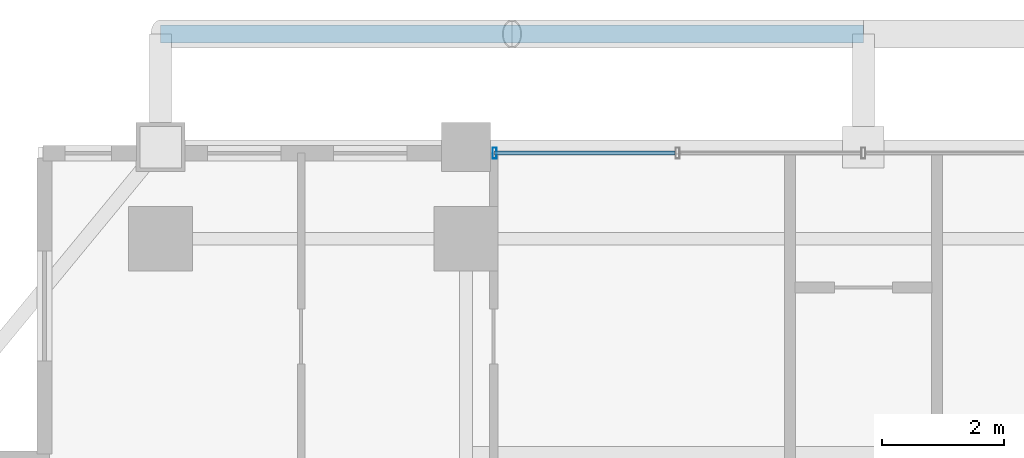
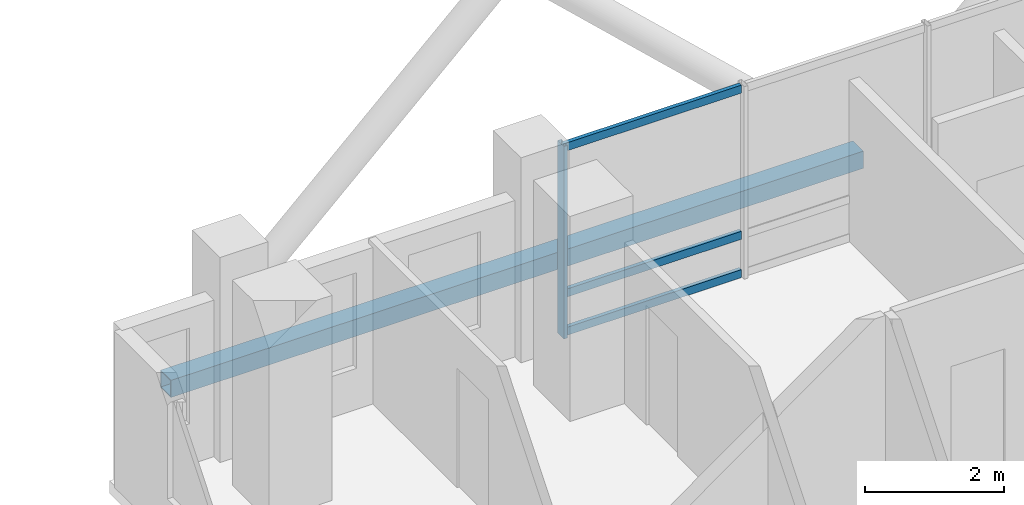
# One storey, part 15 of 26: 5 members, 1 element without a shape of its own.
"""IFC4 building model written with IfcOpenShell, lengths in metres."""

from ifc_helpers import new_model, si_unit, direction, frame, origin, origin_2d, place, context, subcontext, project, spatial, hollow_rectangle, extrude, material, layer, layer_set, material_profile, profile_set, type_object, element, aggregate, save


model = new_model("IFC4")

# Units and contexts
model_context = context("Model", 3, precision=1e-05, world=origin(), true_north=direction((0.0, 1.0)))
body_context = subcontext(model_context, "Body", "Model", "MODEL_VIEW")
ifc_project = project(units=[si_unit("LENGTHUNIT", "METRE"), si_unit("AREAUNIT", "SQUARE_METRE"), si_unit("VOLUMEUNIT", "CUBIC_METRE"), si_unit("PLANEANGLEUNIT", "RADIAN"), si_unit("MASSUNIT", "GRAM", prefix="KILO")], contexts=[model_context])

# Site, building, storey
site_placement = place(None, origin())
site = spatial("IfcSite", under=ifc_project, at=site_placement, CompositionType="ELEMENT")
building_placement = place(site_placement, origin())
building = spatial("IfcBuilding", under=site, at=building_placement, Name="Barlavira Tower and Art Museum", CompositionType="ELEMENT")
storey_placement = place(building_placement, frame((0.0, 0.0, 198.0)))
storey = spatial("IfcBuildingStorey", under=building, at=storey_placement, Name="L51", CompositionType="ELEMENT", Elevation=198.0)

# Curtain wall, members
ifc_material_1 = material(Name="Low-iron coastal laminated glass", Category="glass")
ifc_layer = layer(ifc_material_1, 0.199951171875, Name="Low-iron coastal laminated glass")
ifc_layer_set = layer_set([ifc_layer], Name="Low-iron coastal laminated glass")
curtain_wall_type = type_object("IfcCurtainWallType", Name="Pale-Metal Unitised Curtain Wall Zone 3", PredefinedType="NOTDEFINED", material=ifc_layer_set)
curtain_wall_placement = place(storey_placement, origin())
curtain_wall = element("IfcCurtainWall", 1, at=curtain_wall_placement, inside=storey, type_object=curtain_wall_type, Name="L51 Curtain Wall CW3-L51-N-B3", PredefinedType="NOTDEFINED")
ifc_material_2 = material(Name="Pale anodised aluminium", Category="aluminium")
ifc_material_profile_1 = material_profile(ifc_material_2, hollow_rectangle(XDim=0.06494140625, YDim=0.179931640625, WallThickness=0.00390625, at=origin_2d()), Name="ALU-MULL 65x180x4")
ifc_profile_set_1 = profile_set([ifc_material_profile_1], Name="Pale anodised aluminium")
member_type_1 = type_object("IfcMemberType", Name="Curtain Wall Pale-Metal Mullion 65x180", PredefinedType="MULLION", material=ifc_profile_set_1)
member_1_placement = place(storey_placement, frame((-6.034912109375, 21.39990234375, 0.0), z_axis=(0.0, 0.0, 1.0), x_axis=(-1.0, 0.0, 0.0)))
member_1 = element("IfcMember", 2, at=member_1_placement, type_object=member_type_1, Name="CW3-L51-N-B3 Mullion 4", PredefinedType="MULLION", context=body_context, shape_type="SweptSolid", body=[
    extrude(hollow_rectangle(XDim=0.06494140625, YDim=0.179931640625, WallThickness=0.00390625, at=origin_2d()), origin(), (0.0, 0.0, 1.0), 3.3798828125),
])
ifc_material_profile_2 = material_profile(ifc_material_2, hollow_rectangle(XDim=0.06494140625, YDim=0.139892578125, WallThickness=0.00390625, at=origin_2d()), Name="ALU-TRAN 65x140x4")
ifc_profile_set_2 = profile_set([ifc_material_profile_2], Name="Pale anodised aluminium")
member_type_2 = type_object("IfcMemberType", Name="Curtain Wall Pale-Metal Transom 65x140", PredefinedType="USERDEFINED", material=ifc_profile_set_2)
member_2_placement = place(storey_placement, frame((-3.0849609375, 21.39990234375, 0.070068359375), z_axis=(-1.0, 0.0, 0.0), x_axis=(0.0, -1.0, 0.0)))
member_2 = element("IfcMember", 3, at=member_2_placement, type_object=member_type_2, Name="CW3-L51-N-B3 Transom 3.1", ObjectType="TRANSOM", PredefinedType="USERDEFINED", context=body_context, shape_type="SweptSolid", body=[
    extrude(hollow_rectangle(XDim=0.06494140625, YDim=0.139892578125, WallThickness=0.00390625, at=origin_2d()), origin(), (0.0, 0.0, 1.0), 2.949951171875),
])
member_3_placement = place(storey_placement, frame((-3.0849609375, 21.39990234375, 0.743896484375), z_axis=(-1.0, 0.0, 0.0), x_axis=(0.0, -1.0, 0.0)))
member_3 = element("IfcMember", 4, at=member_3_placement, type_object=member_type_2, Name="CW3-L51-N-B3 Transom 3.2", ObjectType="TRANSOM", PredefinedType="USERDEFINED", context=body_context, shape_type="SweptSolid", body=[
    extrude(hollow_rectangle(XDim=0.06494140625, YDim=0.139892578125, WallThickness=0.00390625, at=origin_2d()), origin(), (0.0, 0.0, 1.0), 2.949951171875),
])
member_4_placement = place(storey_placement, frame((-3.0849609375, 21.39990234375, 3.31005859375), z_axis=(-1.0, 0.0, 0.0), x_axis=(0.0, -1.0, 0.0)))
member_4 = element("IfcMember", 5, at=member_4_placement, type_object=member_type_2, Name="CW3-L51-N-B3 Transom 3.3", ObjectType="TRANSOM", PredefinedType="USERDEFINED", context=body_context, shape_type="SweptSolid", body=[
    extrude(hollow_rectangle(XDim=0.06494140625, YDim=0.139892578125, WallThickness=0.00390625, at=origin_2d()), origin(), (0.0, 0.0, 1.0), 2.949951171875),
])
aggregate(curtain_wall, [member_1, member_2, member_3, member_4])

# Member
ifc_material_3 = material(Name="Steel S355", Category="steel")
ifc_material_profile_3 = material_profile(ifc_material_3, hollow_rectangle(XDim=0.300048828125, YDim=0.300048828125, WallThickness=0.01611328125, at=origin_2d()), Name="SHS 300x300x16.0")
ifc_profile_set_3 = profile_set([ifc_material_profile_3], Name="Steel S355")
member_type_3 = type_object("IfcMemberType", Name="Pale-Metal Upper Ring Strut SHS 300x300x16 Steel S355", PredefinedType="STRUT", material=ifc_profile_set_3)
member_5_placement = place(storey_placement, frame((-11.5, 23.35009765625, -0.1201171875), z_axis=(1.0, 0.0, 0.0), x_axis=(0.0, 1.0, 0.0)))
element("IfcMember", 6, at=member_5_placement, inside=storey, type_object=member_type_3, Name="L51 Exoskeleton Ring Strut N", PredefinedType="STRUT", context=body_context, shape_type="SweptSolid", body=[
    extrude(hollow_rectangle(XDim=0.300048828125, YDim=0.300048828125, WallThickness=0.01611328125, at=origin_2d()), origin(), (0.0, 0.0, 1.0), 11.5),
])

save(model, "model.ifc")
